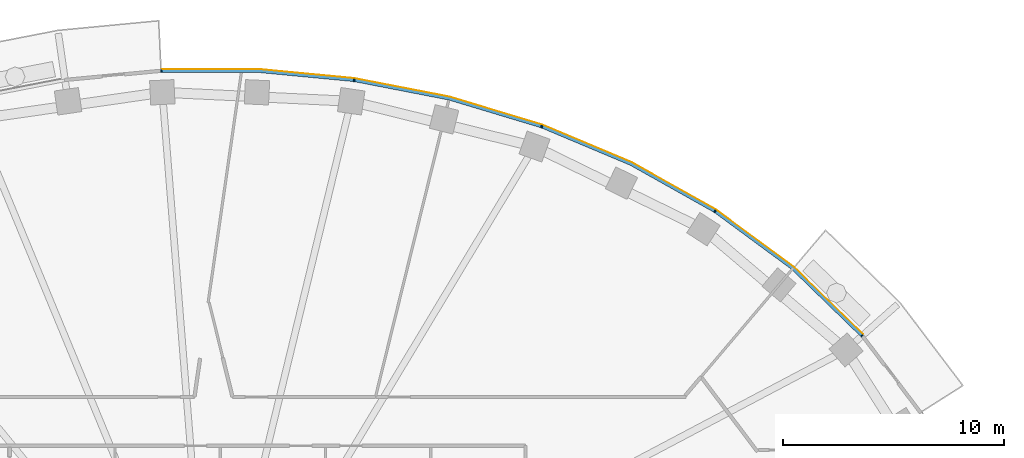
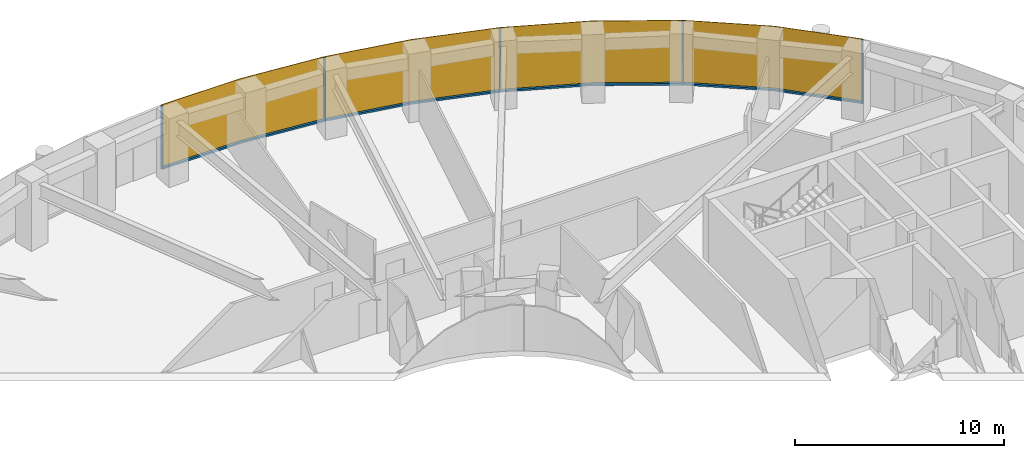
# One storey, part 13 of 16: 9 members, 1 curtain wall.
"""IFC4 building model written with IfcOpenShell, lengths in metres."""

from ifc_helpers import new_model, si_unit, direction, frame, origin, origin_2d, place, context, subcontext, project, spatial, polyline, rectangle, outline, extrude, material, layer, layer_set, material_profile, profile_set, type_object, element, aggregate, save


model = new_model("IFC4")

# Units and contexts
model_context = context("Model", 3, precision=1e-05, world=origin(), true_north=direction((0.0, 1.0)))
body_context = subcontext(model_context, "Body", "Model", "MODEL_VIEW")
ifc_project = project(units=[si_unit("LENGTHUNIT", "METRE"), si_unit("AREAUNIT", "SQUARE_METRE"), si_unit("VOLUMEUNIT", "CUBIC_METRE"), si_unit("PLANEANGLEUNIT", "RADIAN"), si_unit("MASSUNIT", "GRAM", prefix="KILO")], contexts=[model_context])

# Member
ifc_material_1 = material(Name="Aluminium 6063-T6 black anodised", Category="aluminium")
ifc_material_profile = material_profile(ifc_material_1, rectangle(XDim=0.1201171875, YDim=0.06005859375, at=origin_2d()), Name="120x60")
ifc_profile_set = profile_set([ifc_material_profile], Name="Aluminium 6063-T6 black anodised")
member_type_1 = type_object("IfcMemberType", Name="ENV-MULLION-A-120", PredefinedType="MULLION", material=ifc_profile_set)
site_placement = place(None, origin())
building_placement = place(site_placement, origin())
storey_placement = place(building_placement, frame((0.0, 0.0, 257.5)))
member_1_placement = place(storey_placement, frame((29.53857421875, 15.8671875, 0.0), z_axis=(0.0, 0.0, 1.0), x_axis=(-0.749047221705, -0.662516610853, 0.0)))
member_1 = element("IfcMember", 1, at=member_1_placement, type_object=member_type_1, Name="Mullion A radial 05", PredefinedType="MULLION", context=body_context, shape_type="SweptSolid", body=[
    extrude(rectangle(XDim=0.1201171875, YDim=0.06005859375, at=origin_2d()), origin(), (0.0, 0.0, 1.0), 3.699951171875),
])

member_2_placement = place(storey_placement, frame((22.882568359375, 21.506591796875, 0.0), z_axis=(0.0, 0.0, 1.0), x_axis=(-0.542279153225, -0.840198381323, 0.0)))
member_2 = element("IfcMember", 2, at=member_2_placement, type_object=member_type_1, Name="Mullion A radial 07", PredefinedType="MULLION", context=body_context, shape_type="SweptSolid", body=[
    extrude(rectangle(XDim=0.1201171875, YDim=0.06005859375, at=origin_2d()), origin(), (0.0, 0.0, 1.0), 3.699951171875),
])

member_3_placement = place(storey_placement, frame((15.0341796875, 25.34375, 0.0), z_axis=(0.0, 0.0, 1.0), x_axis=(-0.338379256581, -0.941009818608, 0.0)))
member_3 = element("IfcMember", 3, at=member_3_placement, type_object=member_type_1, Name="Mullion A radial 09", PredefinedType="MULLION", context=body_context, shape_type="SweptSolid", body=[
    extrude(rectangle(XDim=0.1201171875, YDim=0.06005859375, at=origin_2d()), origin(), (0.0, 0.0, 1.0), 3.699951171875),
])

member_4_placement = place(storey_placement, frame((6.54638671875, 27.440185546875, 0.0), z_axis=(0.0, 0.0, 1.0), x_axis=(-0.143082012705, -0.989710835366, 0.0)))
member_4 = element("IfcMember", 4, at=member_4_placement, type_object=member_type_1, Name="Mullion A radial 11", PredefinedType="MULLION", context=body_context, shape_type="SweptSolid", body=[
    extrude(rectangle(XDim=0.1201171875, YDim=0.06005859375, at=origin_2d()), origin(), (0.0, 0.0, 1.0), 3.699951171875),
])

member_5_placement = place(storey_placement, frame((-2.188720703125, 27.856201171875, 0.0), z_axis=(0.0, 0.0, 1.0), x_axis=(0.047557873581, -0.998868484166, 0.0)))
member_5 = element("IfcMember", 5, at=member_5_placement, type_object=member_type_1, Name="Mullion A radial 13", PredefinedType="MULLION", context=body_context, shape_type="SweptSolid", body=[
    extrude(rectangle(XDim=0.1201171875, YDim=0.06005859375, at=origin_2d()), origin(), (0.0, 0.0, 1.0), 3.699951171875),
])

ifc_material_2 = material(Name="Aluminium 6063-T6 black anodised", Category="aluminium")
member_type_2 = type_object("IfcMemberType", Name="ENV-TRANSOM-A", PredefinedType="USERDEFINED", material=ifc_material_2)
member_6_placement = place(storey_placement, origin())
member_6 = element("IfcMember", 6, at=member_6_placement, type_object=member_type_2, Name="Transom A radial 05-07", ObjectType="TRANSOM", PredefinedType="USERDEFINED", context=body_context, shape_type="SweptSolid", body=[
    extrude(outline(polyline([(29.5634765625, 15.926513671875), (26.4423828125, 18.958740234375), (22.937744140625, 21.540283203125), (22.87255859375, 21.439208984375), (26.364501953125, 18.866943359375), (29.473388671875, 15.8466796875), (29.5634765625, 15.926513671875)])), origin(), (0.0, 0.0, 1.0), 0.10009765625),
])

member_7_placement = place(storey_placement, origin())
member_7 = element("IfcMember", 7, at=member_7_placement, type_object=member_type_2, Name="Transom A radial 07-09", ObjectType="TRANSOM", PredefinedType="USERDEFINED", context=body_context, shape_type="SweptSolid", body=[
    extrude(outline(polyline([(22.890625, 21.570556640625), (19.093994140625, 23.701416015625), (15.080322265625, 25.389404296875), (15.03955078125, 25.276123046875), (19.041259765625, 23.593505859375), (22.825439453125, 21.469482421875), (22.890625, 21.570556640625)])), origin(), (0.0, 0.0, 1.0), 0.10009765625),
])

member_8_placement = place(storey_placement, origin())
member_8 = element("IfcMember", 8, at=member_8_placement, type_object=member_type_2, Name="Transom A radial 09-11", ObjectType="TRANSOM", PredefinedType="USERDEFINED", context=body_context, shape_type="SweptSolid", body=[
    extrude(outline(polyline([(15.027587890625, 25.408203125), (10.857666015625, 26.6630859375), (6.58251953125, 27.494140625), (6.5654296875, 27.375244140625), (10.828857421875, 26.54638671875), (14.987060546875, 25.295166015625), (15.027587890625, 25.408203125)])), origin(), (0.0, 0.0, 1.0), 0.10009765625),
])

member_9_placement = place(storey_placement, origin())
member_9 = element("IfcMember", 9, at=member_9_placement, type_object=member_type_2, Name="Transom A radial 11-13", ObjectType="TRANSOM", PredefinedType="USERDEFINED", context=body_context, shape_type="SweptSolid", body=[
    extrude(outline(polyline([(6.527099609375, 27.502197265625), (2.191650390625, 27.916015625), (-2.163818359375, 27.916015625), (-2.157958984375, 27.7958984375), (2.185791015625, 27.7958984375), (6.510009765625, 27.38330078125), (6.527099609375, 27.502197265625)])), origin(), (0.0, 0.0, 1.0), 0.10009765625),
])

# Site, building, storey
site = spatial("IfcSite", under=ifc_project, at=site_placement, CompositionType="ELEMENT")
building = spatial("IfcBuilding", under=site, at=building_placement, Name="Noorbagh Ring Tower", CompositionType="ELEMENT")
storey = spatial("IfcBuildingStorey", under=building, at=storey_placement, Name="L54", CompositionType="ELEMENT", Elevation=257.5)

# Curtain wall
ifc_material_3 = material(Name="Glass dark tinted laminated", Category="glass")
ifc_layer = layer(ifc_material_3, 0.031982421875)
ifc_layer_set = layer_set([ifc_layer], Name="Glass dark tinted laminated")
curtain_wall_type = type_object("IfcCurtainWallType", Name="ENV-CW-A", PredefinedType="NOTDEFINED", material=ifc_layer_set)
curtain_wall_placement = place(storey_placement, origin())
curtain_wall = element("IfcCurtainWall", 10, at=curtain_wall_placement, inside=storey, type_object=curtain_wall_type, Name="Curtain wall A R05", PredefinedType="NOTDEFINED", context=body_context, shape_type="SweptSolid", body=[
    extrude(outline(polyline([(29.59326171875, 15.942138671875), (26.463134765625, 18.9833984375), (22.9326171875, 21.583740234375), (19.108154296875, 23.730224609375), (15.065185546875, 25.430419921875), (10.865234375, 26.6943359375), (6.559814453125, 27.53125), (2.193115234375, 27.947998046875), (-2.173095703125, 27.947998046875), (-2.171630859375, 27.916015625), (2.191650390625, 27.916015625), (6.55517578125, 27.49951171875), (10.857666015625, 26.6630859375), (15.054443359375, 25.400146484375), (19.093994140625, 23.701416015625), (22.9150390625, 21.556884765625), (26.4423828125, 18.958740234375), (29.569091796875, 15.9208984375), (29.59326171875, 15.942138671875)])), origin(), (0.0, 0.0, 1.0), 3.699951171875),
])

aggregate(curtain_wall, [member_1, member_2, member_3, member_4, member_5, member_6, member_7, member_8, member_9])

save(model, "model.ifc")
